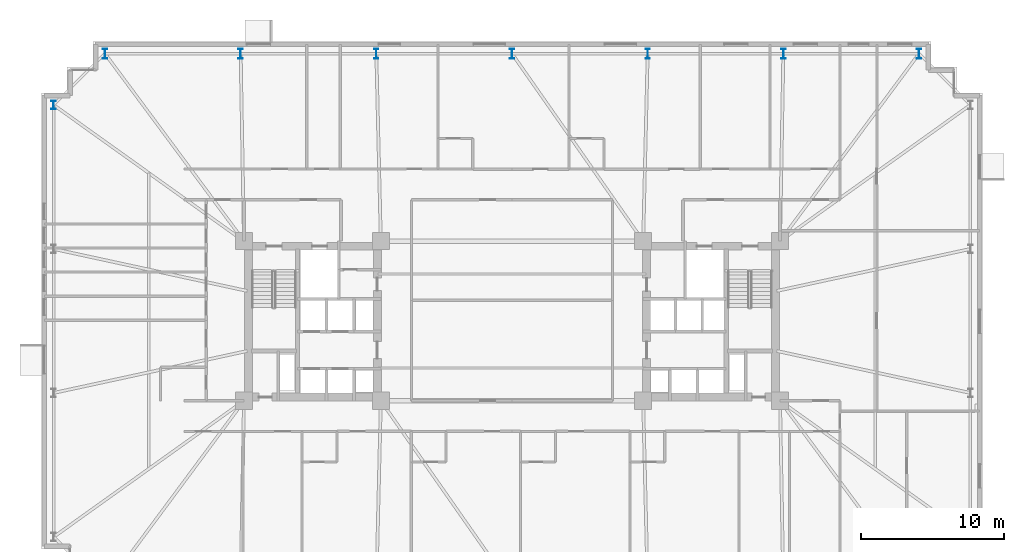
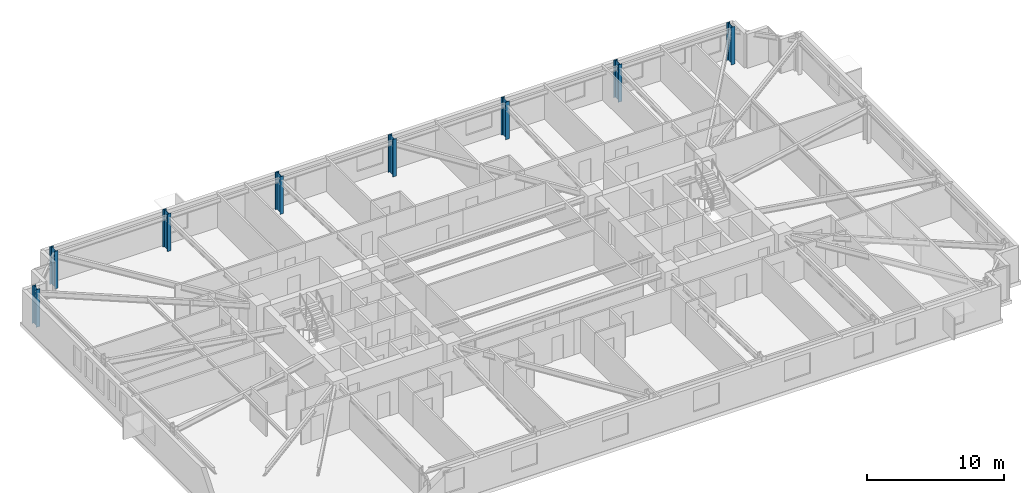
# One storey, part 2 of 21: 8 columns.
"""IFC4 building model written with IfcOpenShell, lengths in metres."""

from ifc_helpers import new_model, si_unit, direction, frame, origin, origin_2d, place, context, subcontext, project, spatial, i_section, extrude, material, material_profile, profile_set, type_object, element, save


model = new_model("IFC4")

# Units and contexts
model_context = context("Model", 3, precision=1e-05, world=origin(), true_north=direction((0.0, 1.0)))
body_context = subcontext(model_context, "Body", "Model", "MODEL_VIEW")
ifc_project = project(units=[si_unit("LENGTHUNIT", "METRE"), si_unit("AREAUNIT", "SQUARE_METRE"), si_unit("VOLUMEUNIT", "CUBIC_METRE"), si_unit("PLANEANGLEUNIT", "RADIAN"), si_unit("MASSUNIT", "GRAM", prefix="KILO")], contexts=[model_context])

# Site, building, storey
site_placement = place(None, origin())
site = spatial("IfcSite", under=ifc_project, at=site_placement, CompositionType="ELEMENT")
building_placement = place(site_placement, origin())
building = spatial("IfcBuilding", under=site, at=building_placement, Name="Qobustan Lattice House", CompositionType="ELEMENT")
storey_placement = place(building_placement, frame((0.0, 0.0, 40.39990234375)))
storey = spatial("IfcBuildingStorey", under=building, at=storey_placement, Name="L10", CompositionType="ELEMENT", Elevation=40.39990234375)

# Columns
ifc_material_1 = material(Name="Steel S460", Category="steel")
ifc_material_profile_1 = material_profile(ifc_material_1, i_section(OverallWidth=0.304931640625, OverallDepth=0.6201171875, WebThickness=0.02099609375, FlangeThickness=0.0400390625, FilletRadius=0.027099609375, at=origin_2d()), Name="HEM600")
ifc_profile_set_1 = profile_set([ifc_material_profile_1], Name="Steel S460")
column_type_1 = type_object("IfcColumnType", Name="COL-ST-HEM600", PredefinedType="COLUMN", material=ifc_profile_set_1)
column_placement = place(storey_placement, frame((-32.14990234375, 15.14990234375, 0.0), z_axis=(0.0, 0.0, 1.0), x_axis=(1.0, 0.0, 0.0)))
element("IfcColumn", 1, at=column_placement, inside=storey, type_object=column_type_1, Name="L10 B1 perimeter column W1", PredefinedType="COLUMN", context=body_context, shape_type="SweptSolid", body=[
    extrude(i_section(OverallWidth=0.304931640625, OverallDepth=0.6201171875, WebThickness=0.02099609375, FlangeThickness=0.0400390625, FilletRadius=0.027099609375, at=origin_2d()), origin(), (0.0, 0.0, 1.0), 3.35009765625),
])
ifc_material_2 = material(Name="Steel S460", Category="steel")
ifc_material_profile_2 = material_profile(ifc_material_2, i_section(OverallWidth=0.303955078125, OverallDepth=0.716064453125, WebThickness=0.02099609375, FlangeThickness=0.0400390625, FilletRadius=0.027099609375, at=origin_2d()), Name="HEM700")
ifc_profile_set_2 = profile_set([ifc_material_profile_2], Name="Steel S460")
column_type_2 = type_object("IfcColumnType", Name="COL-ST-HEM700", PredefinedType="COLUMN", material=ifc_profile_set_2)
for number, where, z_axis, x_axis, name in (
    (2, (28.550048828125, 18.75, 0.0), (0.0, 0.0, 1.0), (1.0, 0.0, 0.0), "L10 B1 perimeter column N1"),
    (3, (19.033203125, 18.75, 0.0), (0.0, 0.0, 1.0), (1.0, 0.0, 0.0), "L10 B1 perimeter column N2"),
    (4, (9.5166015625, 18.75, 0.0), (0.0, 0.0, 1.0), (1.0, 0.0, 0.0), "L10 B1 perimeter column N3"),
    (5, (0.0, 18.75, 0.0), (0.0, 0.0, 1.0), (1.0, 0.0, 0.0), "L10 B1 perimeter column N4"),
    (6, (-9.5166015625, 18.75, 0.0), (0.0, 0.0, 1.0), (1.0, 0.0, 0.0), "L10 B1 perimeter column N5"),
    (7, (-19.033203125, 18.75, 0.0), (0.0, 0.0, 1.0), (1.0, 0.0, 0.0), "L10 B1 perimeter column N6"),
    (8, (-28.550048828125, 18.75, 0.0), (0.0, 0.0, 1.0), (1.0, 0.0, 0.0), "L10 B1 perimeter column N7"),
):
    element("IfcColumn", number, at=place(storey_placement, frame(where, z_axis=z_axis, x_axis=x_axis)), inside=storey, type_object=column_type_2, Name=name, PredefinedType="COLUMN", context=body_context, shape_type="SweptSolid", body=[
        extrude(i_section(OverallWidth=0.303955078125, OverallDepth=0.716064453125, WebThickness=0.02099609375, FlangeThickness=0.0400390625, FilletRadius=0.027099609375, at=origin_2d()), origin(), (0.0, 0.0, 1.0), 3.35009765625),
    ])

save(model, "model.ifc")
